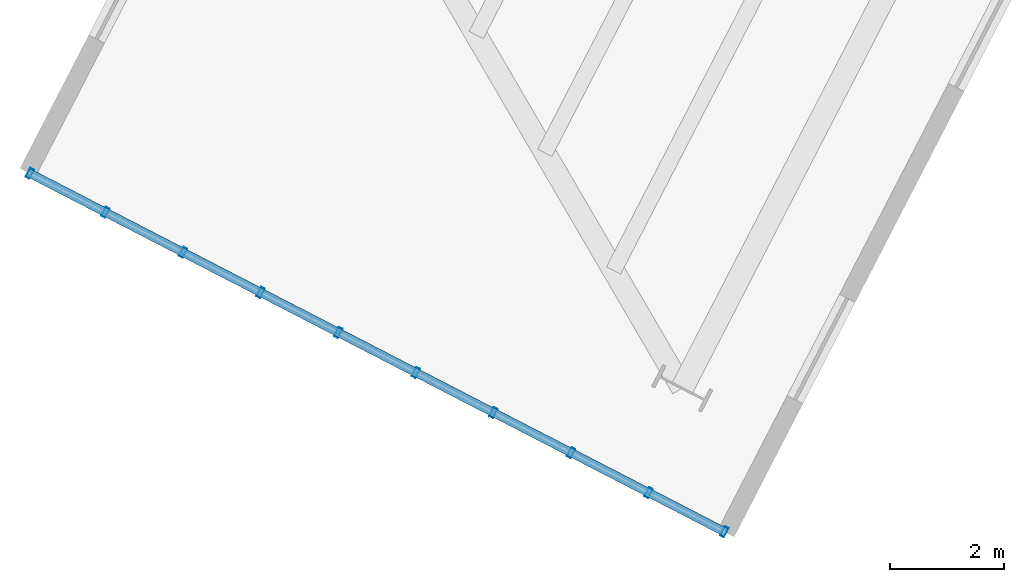
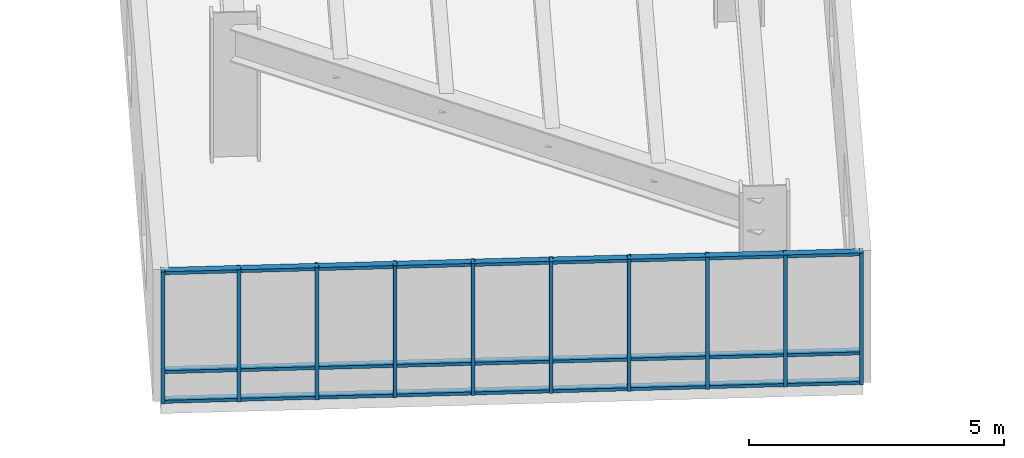
# One storey, part 2 of 9: 13 members, 1 element without a shape of its own.
"""IFC4 building model written with IfcOpenShell, lengths in metres."""

from ifc_helpers import new_model, si_unit, direction, frame, origin, origin_2d, place, context, subcontext, project, spatial, hollow_rectangle, extrude, material, layer, layer_set, material_profile, profile_set, type_object, element, aggregate, save


model = new_model("IFC4")

# Units and contexts
model_context = context("Model", 3, precision=1e-05, world=origin(), true_north=direction((0.0, 1.0)))
body_context = subcontext(model_context, "Body", "Model", "MODEL_VIEW")
ifc_project = project(units=[si_unit("LENGTHUNIT", "METRE"), si_unit("AREAUNIT", "SQUARE_METRE"), si_unit("VOLUMEUNIT", "CUBIC_METRE"), si_unit("PLANEANGLEUNIT", "RADIAN"), si_unit("MASSUNIT", "GRAM", prefix="KILO"), si_unit("THERMODYNAMICTEMPERATUREUNIT", "KELVIN"), si_unit("POWERUNIT", "WATT")], contexts=[model_context])

# Site, building, storey
site_placement = place(None, origin())
site = spatial("IfcSite", under=ifc_project, at=site_placement, CompositionType="ELEMENT")
building_placement = place(site_placement, origin())
building = spatial("IfcBuilding", under=site, at=building_placement, Name="Skarre Station Tower", CompositionType="ELEMENT")
storey_placement = place(building_placement, frame((0.0, 0.0, 177.449951171875)))
storey = spatial("IfcBuildingStorey", under=building, at=storey_placement, Name="L48", CompositionType="ELEMENT", Elevation=177.449951171875)

# Curtain wall, members
ifc_material_1 = material(Name="Thermally Broken Bronze-Anodized Aluminium & Triple Low-E Glass", Category="aluminium")
ifc_layer = layer(ifc_material_1, 0.2099609375, Name="Thermally Broken Bronze-Anodized Aluminium & Triple Low-E Glass")
ifc_layer_set = layer_set([ifc_layer], Name="Thermally Broken Bronze-Anodized Aluminium & Triple Low-E Glass")
curtain_wall_type = type_object("IfcCurtainWallType", Name="Sky-Bar Prow Structural Glazed Curtain Wall", PredefinedType="NOTDEFINED", material=ifc_layer_set)
curtain_wall_placement = place(storey_placement, origin())
curtain_wall = element("IfcCurtainWall", 1, at=curtain_wall_placement, inside=storey, type_object=curtain_wall_type, Name="L48 SB-4 Lakefront Prow Curtain Wall", PredefinedType="NOTDEFINED")
ifc_material_2 = material(Name="Anodized Aluminium 6063-T6", Category="aluminium")
ifc_material_profile_1 = material_profile(ifc_material_2, hollow_rectangle(XDim=0.074951171875, YDim=0.14990234375, WallThickness=0.00390625, at=origin_2d()), Name="Anodized Aluminium 6063-T6")
ifc_profile_set_1 = profile_set([ifc_material_profile_1], Name="Anodized Aluminium 6063-T6")
member_type_1 = type_object("IfcMemberType", Name="Curtain-Wall Secondary Transom 150x75", PredefinedType="USERDEFINED", material=ifc_profile_set_1)
member_1_placement = place(storey_placement, frame((22.139892578125, -11.3759765625, 0.0400390625), z_axis=(-0.888632519013, 0.458619936498, 0.0), x_axis=(0.0, 0.0, 1.0)))
member_1 = element("IfcMember", 2, at=member_1_placement, type_object=member_type_1, Name="L48 SB-4 Lakefront Prow Curtain Wall Transom 1", ObjectType="TRANSOM", PredefinedType="USERDEFINED", context=body_context, shape_type="SweptSolid", body=[
    extrude(hollow_rectangle(XDim=0.074951171875, YDim=0.14990234375, WallThickness=0.00390625, at=origin_2d()), origin(), (0.0, 0.0, 1.0), 13.7998046875),
])
member_2_placement = place(storey_placement, frame((22.139892578125, -11.3759765625, 0.75), z_axis=(-0.888632519013, 0.458619936498, 0.0), x_axis=(0.0, 0.0, 1.0)))
member_2 = element("IfcMember", 3, at=member_2_placement, type_object=member_type_1, Name="L48 SB-4 Lakefront Prow Curtain Wall Transom 2", ObjectType="TRANSOM", PredefinedType="USERDEFINED", context=body_context, shape_type="SweptSolid", body=[
    extrude(hollow_rectangle(XDim=0.074951171875, YDim=0.14990234375, WallThickness=0.00390625, at=origin_2d()), origin(), (0.0, 0.0, 1.0), 13.7998046875),
])
member_3_placement = place(storey_placement, frame((22.139892578125, -11.3759765625, 3.1201171875), z_axis=(-0.888632519013, 0.458619936498, 0.0), x_axis=(0.0, 0.0, 1.0)))
member_3 = element("IfcMember", 4, at=member_3_placement, type_object=member_type_1, Name="L48 SB-4 Lakefront Prow Curtain Wall Transom 3", ObjectType="TRANSOM", PredefinedType="USERDEFINED", context=body_context, shape_type="SweptSolid", body=[
    extrude(hollow_rectangle(XDim=0.074951171875, YDim=0.14990234375, WallThickness=0.00390625, at=origin_2d()), origin(), (0.0, 0.0, 1.0), 13.7998046875),
])
ifc_material_profile_2 = material_profile(ifc_material_2, hollow_rectangle(XDim=0.074951171875, YDim=0.179931640625, WallThickness=0.00390625, at=origin_2d()), Name="Anodized Aluminium 6063-T6")
ifc_profile_set_2 = profile_set([ifc_material_profile_2], Name="Anodized Aluminium 6063-T6")
member_type_2 = type_object("IfcMemberType", Name="Curtain-Wall Unitised Tower Mullion 180x75", PredefinedType="MULLION", material=ifc_profile_set_2)
member_4_placement = place(storey_placement, frame((22.10400390625, -11.35791015625, 0.0), z_axis=(0.0, 0.0, 1.0), x_axis=(-0.888625237464, 0.458634045118, 0.0)))
member_4 = element("IfcMember", 5, at=member_4_placement, type_object=member_type_2, Name="L48 SB-4 Lakefront Prow Curtain Wall Mullion 1", PredefinedType="MULLION", context=body_context, shape_type="SweptSolid", body=[
    extrude(hollow_rectangle(XDim=0.074951171875, YDim=0.179931640625, WallThickness=0.00390625, at=origin_2d()), origin(), (0.0, 0.0, 1.0), 3.16015625),
])
member_5_placement = place(storey_placement, frame((20.777099609375, -10.673095703125, 0.0), z_axis=(0.0, 0.0, 1.0), x_axis=(-0.888625237464, 0.458634045118, 0.0)))
member_5 = element("IfcMember", 6, at=member_5_placement, type_object=member_type_2, Name="L48 SB-4 Lakefront Prow Curtain Wall Mullion 2", PredefinedType="MULLION", context=body_context, shape_type="SweptSolid", body=[
    extrude(hollow_rectangle(XDim=0.074951171875, YDim=0.179931640625, WallThickness=0.00390625, at=origin_2d()), origin(), (0.0, 0.0, 1.0), 3.16015625),
])
member_6_placement = place(storey_placement, frame((19.4150390625, -9.969970703125, 0.0), z_axis=(0.0, 0.0, 1.0), x_axis=(-0.888625237464, 0.458634045118, 0.0)))
member_6 = element("IfcMember", 7, at=member_6_placement, type_object=member_type_2, Name="L48 SB-4 Lakefront Prow Curtain Wall Mullion 3", PredefinedType="MULLION", context=body_context, shape_type="SweptSolid", body=[
    extrude(hollow_rectangle(XDim=0.074951171875, YDim=0.179931640625, WallThickness=0.00390625, at=origin_2d()), origin(), (0.0, 0.0, 1.0), 3.16015625),
])
member_7_placement = place(storey_placement, frame((18.052001953125, -9.26611328125, 0.0), z_axis=(0.0, 0.0, 1.0), x_axis=(-0.888625237464, 0.458634045118, 0.0)))
member_7 = element("IfcMember", 8, at=member_7_placement, type_object=member_type_2, Name="L48 SB-4 Lakefront Prow Curtain Wall Mullion 4", PredefinedType="MULLION", context=body_context, shape_type="SweptSolid", body=[
    extrude(hollow_rectangle(XDim=0.074951171875, YDim=0.179931640625, WallThickness=0.00390625, at=origin_2d()), origin(), (0.0, 0.0, 1.0), 3.16015625),
])
member_8_placement = place(storey_placement, frame((16.68994140625, -8.56298828125, 0.0), z_axis=(0.0, 0.0, 1.0), x_axis=(-0.888625237464, 0.458634045118, 0.0)))
member_8 = element("IfcMember", 9, at=member_8_placement, type_object=member_type_2, Name="L48 SB-4 Lakefront Prow Curtain Wall Mullion 5", PredefinedType="MULLION", context=body_context, shape_type="SweptSolid", body=[
    extrude(hollow_rectangle(XDim=0.074951171875, YDim=0.179931640625, WallThickness=0.00390625, at=origin_2d()), origin(), (0.0, 0.0, 1.0), 3.16015625),
])
member_9_placement = place(storey_placement, frame((15.326904296875, -7.860107421875, 0.0), z_axis=(0.0, 0.0, 1.0), x_axis=(-0.888625237464, 0.458634045118, 0.0)))
member_9 = element("IfcMember", 10, at=member_9_placement, type_object=member_type_2, Name="L48 SB-4 Lakefront Prow Curtain Wall Mullion 6", PredefinedType="MULLION", context=body_context, shape_type="SweptSolid", body=[
    extrude(hollow_rectangle(XDim=0.074951171875, YDim=0.179931640625, WallThickness=0.00390625, at=origin_2d()), origin(), (0.0, 0.0, 1.0), 3.16015625),
])
member_10_placement = place(storey_placement, frame((13.965087890625, -7.156982421875, 0.0), z_axis=(0.0, 0.0, 1.0), x_axis=(-0.888625237464, 0.458634045118, 0.0)))
member_10 = element("IfcMember", 11, at=member_10_placement, type_object=member_type_2, Name="L48 SB-4 Lakefront Prow Curtain Wall Mullion 7", PredefinedType="MULLION", context=body_context, shape_type="SweptSolid", body=[
    extrude(hollow_rectangle(XDim=0.074951171875, YDim=0.179931640625, WallThickness=0.00390625, at=origin_2d()), origin(), (0.0, 0.0, 1.0), 3.16015625),
])
member_11_placement = place(storey_placement, frame((12.60205078125, -6.452880859375, 0.0), z_axis=(0.0, 0.0, 1.0), x_axis=(-0.888625237464, 0.458634045118, 0.0)))
member_11 = element("IfcMember", 12, at=member_11_placement, type_object=member_type_2, Name="L48 SB-4 Lakefront Prow Curtain Wall Mullion 8", PredefinedType="MULLION", context=body_context, shape_type="SweptSolid", body=[
    extrude(hollow_rectangle(XDim=0.074951171875, YDim=0.179931640625, WallThickness=0.00390625, at=origin_2d()), origin(), (0.0, 0.0, 1.0), 3.16015625),
])
member_12_placement = place(storey_placement, frame((11.239990234375, -5.75, 0.0), z_axis=(0.0, 0.0, 1.0), x_axis=(-0.888625237464, 0.458634045118, 0.0)))
member_12 = element("IfcMember", 13, at=member_12_placement, type_object=member_type_2, Name="L48 SB-4 Lakefront Prow Curtain Wall Mullion 9", PredefinedType="MULLION", context=body_context, shape_type="SweptSolid", body=[
    extrude(hollow_rectangle(XDim=0.074951171875, YDim=0.179931640625, WallThickness=0.00390625, at=origin_2d()), origin(), (0.0, 0.0, 1.0), 3.16015625),
])
member_13_placement = place(storey_placement, frame((9.9130859375, -5.06494140625, 0.0), z_axis=(0.0, 0.0, 1.0), x_axis=(-0.888625237464, 0.458634045118, 0.0)))
member_13 = element("IfcMember", 14, at=member_13_placement, type_object=member_type_2, Name="L48 SB-4 Lakefront Prow Curtain Wall Mullion 10", PredefinedType="MULLION", context=body_context, shape_type="SweptSolid", body=[
    extrude(hollow_rectangle(XDim=0.074951171875, YDim=0.179931640625, WallThickness=0.00390625, at=origin_2d()), origin(), (0.0, 0.0, 1.0), 3.16015625),
])
aggregate(curtain_wall, [member_4, member_5, member_6, member_7, member_8, member_9, member_10, member_11, member_12, member_13, member_1, member_2, member_3])

save(model, "model.ifc")
